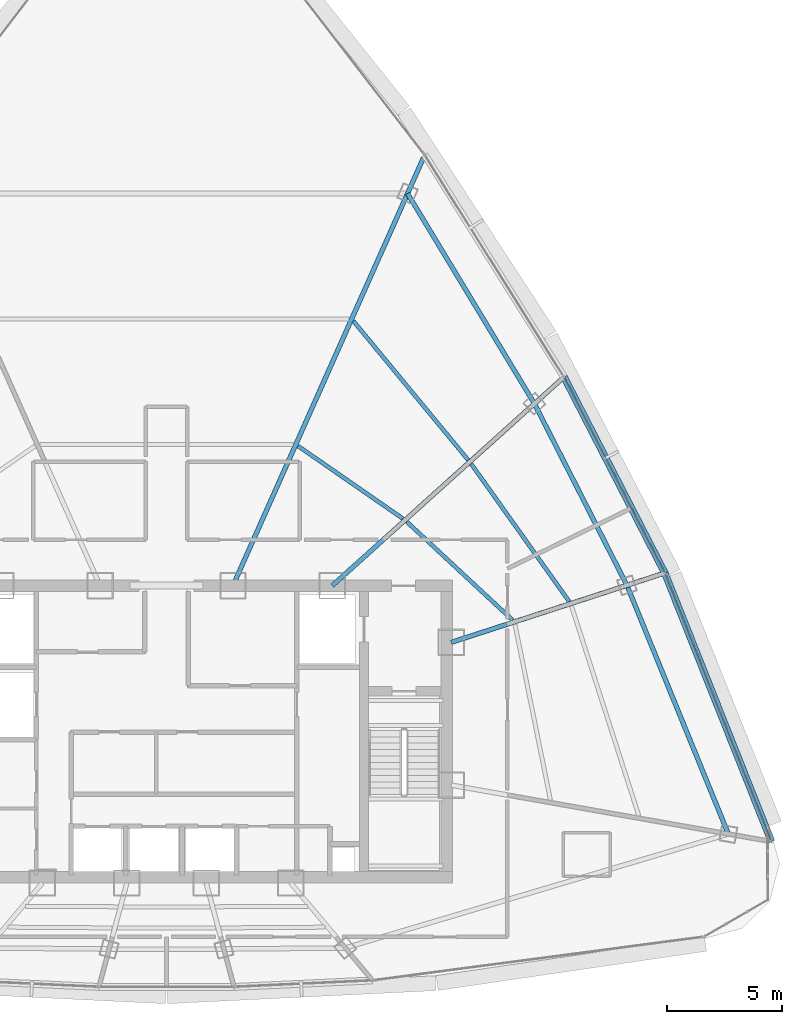
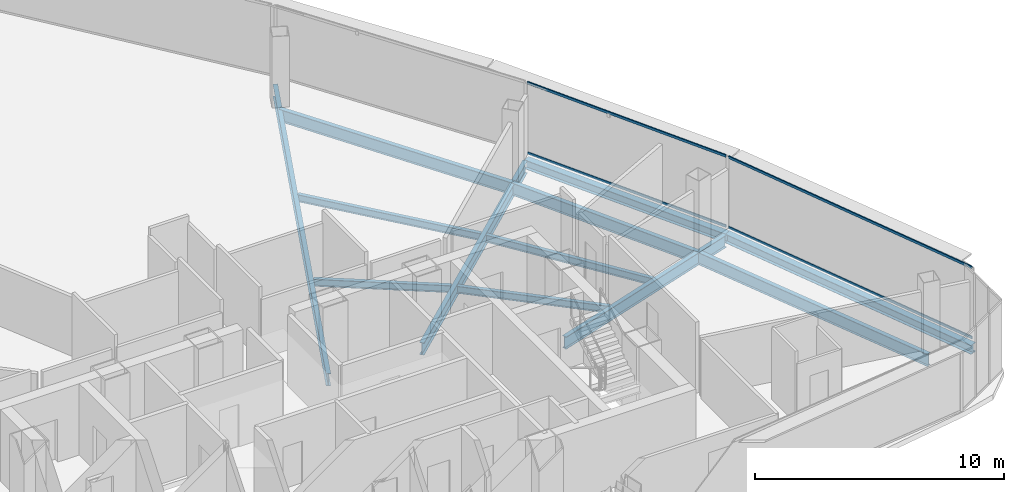
# One storey, part 13 of 29: 12 beams, 4 members, 2 elements without a shape of their own.
"""IFC4 building model written with IfcOpenShell, lengths in metres."""

from ifc_helpers import new_model, si_unit, direction, frame, origin, origin_2d, place, context, subcontext, project, spatial, hollow_rectangle, i_section, extrude, source, transform, mapped, material, layer, layer_set, material_profile, profile_set, type_object, element, aggregate, save


model = new_model("IFC4")

# Units and contexts
model_context = context("Model", 3, precision=1e-05, world=origin(), true_north=direction((0.0, 1.0)))
body_context = subcontext(model_context, "Body", "Model", "MODEL_VIEW")
ifc_project = project(units=[si_unit("LENGTHUNIT", "METRE"), si_unit("AREAUNIT", "SQUARE_METRE"), si_unit("VOLUMEUNIT", "CUBIC_METRE"), si_unit("PLANEANGLEUNIT", "RADIAN"), si_unit("MASSUNIT", "GRAM", prefix="KILO"), si_unit("THERMODYNAMICTEMPERATUREUNIT", "KELVIN"), si_unit("POWERUNIT", "WATT")], contexts=[model_context])

# Site, building, storey
site_placement = place(None, origin())
site = spatial("IfcSite", under=ifc_project, at=site_placement, CompositionType="ELEMENT")
building_placement = place(site_placement, origin())
building = spatial("IfcBuilding", under=site, at=building_placement, Name="Yunzhuo Pagoda Commons", CompositionType="ELEMENT")
storey_placement = place(building_placement, frame((0.0, 0.0, 359.260009765625)))
storey = spatial("IfcBuildingStorey", under=building, at=storey_placement, Name="L90", CompositionType="ELEMENT", Elevation=359.260009765625)

# Beams
ifc_material_1 = material(Name="Structural steel Q355B", Category="steel")
ifc_material_profile_1 = material_profile(ifc_material_1, i_section(OverallWidth=0.199951171875, OverallDepth=0.60009765625, WebThickness=0.010986328125, FlangeThickness=0.01708984375, at=origin_2d()), Name="Structural steel Q355B")
ifc_profile_set_1 = profile_set([ifc_material_profile_1], Name="Structural steel Q355B")
beam_type_1 = type_object("IfcBeamType", Name="B-RG3 Beam HN 600x200x11x17", PredefinedType="BEAM", material=ifc_profile_set_1)
shared_shape_1 = source(origin(), body_context, "Body", "SweptSolid", [
    extrude(i_section(OverallWidth=0.199951171875, OverallDepth=0.60009765625, WebThickness=0.010986328125, FlangeThickness=0.01708984375, at=origin_2d()), origin(), (0.0, 0.0, 1.0), 11.696533203125),
])
beam_1_placement = place(storey_placement, frame((72.47021484375, 29.38525390625, -0.56005859375), z_axis=(-0.377611800863, 0.925963999219, 0.0), x_axis=(-0.925963999219, -0.377611800863, 0.0)))
element("IfcBeam", 1, at=beam_1_placement, inside=storey, type_object=beam_type_1, Name="L90 column-ring beam 5", PredefinedType="BEAM", context=body_context, shape_type="MappedRepresentation", body=[
    mapped(shared_shape_1, transform((0.0, 0.0, 0.0), scale=1.0)),
])
shared_shape_2 = source(origin(), body_context, "Body", "SweptSolid", [
    extrude(i_section(OverallWidth=0.199951171875, OverallDepth=0.60009765625, WebThickness=0.010986328125, FlangeThickness=0.01708984375, at=origin_2d()), origin(), (0.0, 0.0, 1.0), 8.87939453125),
])
beam_2_placement = place(storey_placement, frame((68.053466796875, 40.2158203125, -0.56005859375), z_axis=(-0.453723535687, 0.891142498798, 0.0), x_axis=(-0.891142498798, -0.453723535687, 0.0)))
element("IfcBeam", 2, at=beam_2_placement, inside=storey, type_object=beam_type_1, Name="L90 column-ring beam 6", PredefinedType="BEAM", context=body_context, shape_type="MappedRepresentation", body=[
    mapped(shared_shape_2, transform((0.0, 0.0, 0.0), scale=1.0)),
])
shared_shape_3 = source(origin(), body_context, "Body", "SweptSolid", [
    extrude(i_section(OverallWidth=0.199951171875, OverallDepth=0.60009765625, WebThickness=0.010986328125, FlangeThickness=0.01708984375, at=origin_2d()), origin(), (0.0, 0.0, 1.0), 10.691162109375),
])
beam_3_placement = place(storey_placement, frame((64.024658203125, 48.128662109375, -0.56005859375), z_axis=(-0.516864678433, 0.856067114301, 0.0), x_axis=(-0.856067114301, -0.516864678433, 0.0)))
element("IfcBeam", 3, at=beam_3_placement, inside=storey, type_object=beam_type_1, Name="L90 column-ring beam 7", PredefinedType="BEAM", context=body_context, shape_type="MappedRepresentation", body=[
    mapped(shared_shape_3, transform((0.0, 0.0, 0.0), scale=1.0)),
])
ifc_material_profile_2 = material_profile(ifc_material_1, i_section(OverallWidth=0.175048828125, OverallDepth=0.35009765625, WebThickness=0.007080078125, FlangeThickness=0.010986328125, at=origin_2d()), Name="Structural steel Q355B")
ifc_profile_set_2 = profile_set([ifc_material_profile_2], Name="Structural steel Q355B")
beam_type_2 = type_object("IfcBeamType", Name="B-JS2 Joist HN 350x175x7x11", PredefinedType="JOIST", material=ifc_profile_set_2)
shared_shape_4 = source(origin(), body_context, "Body", "SweptSolid", [
    extrude(i_section(OverallWidth=0.175048828125, OverallDepth=0.35009765625, WebThickness=0.007080078125, FlangeThickness=0.010986328125, at=origin_2d()), origin(), (0.0, 0.0, 1.0), 6.277099609375),
])
beam_4_placement = place(storey_placement, frame((63.071044921875, 38.702392578125, -0.43505859375), z_axis=(-0.73244154109, 0.68082992655, 0.0), x_axis=(-0.68082992655, -0.73244154109, 0.0)))
element("IfcBeam", 4, at=beam_4_placement, inside=storey, type_object=beam_type_2, Name="L90 composite ring joist 1.6", PredefinedType="JOIST", context=body_context, shape_type="MappedRepresentation", body=[
    mapped(shared_shape_4, transform((0.0, 0.0, 0.0), scale=1.0)),
])
shared_shape_5 = source(origin(), body_context, "Body", "SweptSolid", [
    extrude(i_section(OverallWidth=0.175048828125, OverallDepth=0.35009765625, WebThickness=0.007080078125, FlangeThickness=0.010986328125, at=origin_2d()), origin(), (0.0, 0.0, 1.0), 7.347900390625),
])
beam_5_placement = place(storey_placement, frame((65.53759765625, 39.513671875, -0.43505859375), z_axis=(-0.580294898948, 0.814406428177, 0.0), x_axis=(-0.814406428177, -0.580294898948, 0.0)))
element("IfcBeam", 5, at=beam_5_placement, inside=storey, type_object=beam_type_2, Name="L90 composite ring joist 2.6", PredefinedType="JOIST", context=body_context, shape_type="MappedRepresentation", body=[
    mapped(shared_shape_5, transform((0.0, 0.0, 0.0), scale=1.0)),
])
shared_shape_6 = source(origin(), body_context, "Body", "SweptSolid", [
    extrude(i_section(OverallWidth=0.175048828125, OverallDepth=0.35009765625, WebThickness=0.007080078125, FlangeThickness=0.010986328125, at=origin_2d()), origin(), (0.0, 0.0, 1.0), 5.556640625),
])
beam_6_placement = place(storey_placement, frame((58.29443359375, 43.119873046875, -0.43505859375), z_axis=(-0.822084621883, 0.569365326011, 0.0), x_axis=(-0.569365326011, -0.822084621883, 0.0)))
element("IfcBeam", 6, at=beam_6_placement, inside=storey, type_object=beam_type_2, Name="L90 composite ring joist 1.7", PredefinedType="JOIST", context=body_context, shape_type="MappedRepresentation", body=[
    mapped(shared_shape_6, transform((0.0, 0.0, 0.0), scale=1.0)),
])
shared_shape_7 = source(origin(), body_context, "Body", "SweptSolid", [
    extrude(i_section(OverallWidth=0.175048828125, OverallDepth=0.35009765625, WebThickness=0.007080078125, FlangeThickness=0.010986328125, at=origin_2d()), origin(), (0.0, 0.0, 1.0), 7.842529296875),
])
beam_7_placement = place(storey_placement, frame((61.133544921875, 45.68017578125, -0.43505859375), z_axis=(-0.636899145749, 0.770947130577, 0.0), x_axis=(-0.770947130577, -0.636899145749, 0.0)))
element("IfcBeam", 7, at=beam_7_placement, inside=storey, type_object=beam_type_2, Name="L90 composite ring joist 2.7", PredefinedType="JOIST", context=body_context, shape_type="MappedRepresentation", body=[
    mapped(shared_shape_7, transform((0.0, 0.0, 0.0), scale=1.0)),
])
shared_shape_8 = source(origin(), body_context, "Body", "SweptSolid", [
    extrude(i_section(OverallWidth=0.199951171875, OverallDepth=0.60009765625, WebThickness=0.010986328125, FlangeThickness=0.01708984375, at=origin_2d()), origin(), (0.0, 0.0, 1.0), 9.62841796875),
])
beam_8_placement = place(storey_placement, frame((69.55712890625, 40.704345703125, -0.56005859375), z_axis=(-0.951057171816, -0.309014976883, 0.0), x_axis=(0.309014976883, -0.951057171816, 0.0)))
element("IfcBeam", 8, at=beam_8_placement, inside=storey, type_object=beam_type_1, Name="L90 radial floor girder F2C2", PredefinedType="BEAM", context=body_context, shape_type="MappedRepresentation", body=[
    mapped(shared_shape_8, transform((0.0, 0.0, 0.0), scale=1.0)),
])
shared_shape_9 = source(origin(), body_context, "Body", "SweptSolid", [
    extrude(i_section(OverallWidth=0.199951171875, OverallDepth=0.60009765625, WebThickness=0.010986328125, FlangeThickness=0.01708984375, at=origin_2d()), origin(), (0.0, 0.0, 1.0), 13.429931640625),
])
beam_9_placement = place(storey_placement, frame((65.199462890625, 49.186279296875, -0.56005859375), z_axis=(-0.743149501928, -0.669125412597, 0.0), x_axis=(0.669125412597, -0.743149501928, 0.0)))
element("IfcBeam", 9, at=beam_9_placement, inside=storey, type_object=beam_type_1, Name="L90 radial floor girder F2C3", PredefinedType="BEAM", context=body_context, shape_type="MappedRepresentation", body=[
    mapped(shared_shape_9, transform((0.0, 0.0, 0.0), scale=1.0)),
])
shared_shape_10 = source(origin(), body_context, "Body", "SweptSolid", [
    extrude(i_section(OverallWidth=0.199951171875, OverallDepth=0.60009765625, WebThickness=0.010986328125, FlangeThickness=0.01708984375, at=origin_2d()), origin(), (0.0, 0.0, 1.0), 20.386474609375),
])
beam_10_placement = place(storey_placement, frame((59.185791015625, 58.823974609375, -0.56005859375), z_axis=(-0.40672839734, -0.913549128836, 0.0), x_axis=(0.913549128836, -0.40672839734, 0.0)))
element("IfcBeam", 10, at=beam_10_placement, inside=storey, type_object=beam_type_1, Name="L90 radial floor girder F2C4", PredefinedType="BEAM", context=body_context, shape_type="MappedRepresentation", body=[
    mapped(shared_shape_10, transform((0.0, 0.0, 0.0), scale=1.0)),
])
ifc_material_profile_3 = material_profile(ifc_material_1, i_section(OverallWidth=0.300048828125, OverallDepth=0.43994140625, WebThickness=0.010986328125, FlangeThickness=0.01806640625, at=origin_2d()), Name="Structural steel Q355B")
ifc_profile_set_3 = profile_set([ifc_material_profile_3], Name="Structural steel Q355B")
beam_type_3 = type_object("IfcBeamType", Name="B-SP2 Beam HM 440x300x11x18", PredefinedType="BEAM", material=ifc_profile_set_3)
shared_shape_11 = source(origin(), body_context, "Body", "SweptSolid", [
    extrude(i_section(OverallWidth=0.300048828125, OverallDepth=0.43994140625, WebThickness=0.010986328125, FlangeThickness=0.01806640625, at=origin_2d()), origin(), (0.0, 0.0, 1.0), 12.58642578125),
])
beam_11_placement = place(storey_placement, frame((74.3486328125, 29.053955078125, -0.47998046875), z_axis=(-0.368974795252, 0.929439401182, 0.0), x_axis=(-0.929439401182, -0.368974795252, 0.0)))
element("IfcBeam", 11, at=beam_11_placement, inside=storey, type_object=beam_type_3, Name="L90 facade edge spandrel beam F2.1", PredefinedType="BEAM", context=body_context, shape_type="MappedRepresentation", body=[
    mapped(shared_shape_11, transform((0.0, 0.0, 0.0), scale=1.0)),
])
shared_shape_12 = source(origin(), body_context, "Body", "SweptSolid", [
    extrude(i_section(OverallWidth=0.300048828125, OverallDepth=0.43994140625, WebThickness=0.010986328125, FlangeThickness=0.01806640625, at=origin_2d()), origin(), (0.0, 0.0, 1.0), 9.600341796875),
])
beam_12_placement = place(storey_placement, frame((69.70458984375, 40.752197265625, -0.47998046875), z_axis=(-0.457265841748, 0.889330056824, 0.0), x_axis=(-0.889330056824, -0.457265841748, 0.0)))
element("IfcBeam", 12, at=beam_12_placement, inside=storey, type_object=beam_type_3, Name="L90 facade edge spandrel beam F2.2", PredefinedType="BEAM", context=body_context, shape_type="MappedRepresentation", body=[
    mapped(shared_shape_12, transform((0.0, 0.0, 0.0), scale=1.0)),
])

# Curtain wall, members
ifc_material_2 = material(Name="Anodized aluminium 6063-T6", Category="aluminium")
ifc_layer = layer(ifc_material_2, 0.139892578125)
ifc_layer_set = layer_set([ifc_layer], Name="Anodized aluminium 6063-T6")
curtain_wall_type = type_object("IfcCurtainWallType", Name="CW-HI High-Zone Ribbon Curtain Wall", PredefinedType="NOTDEFINED", material=ifc_layer_set)
curtain_wall_1_placement = place(storey_placement, origin())
curtain_wall_1 = element("IfcCurtainWall", 13, at=curtain_wall_1_placement, inside=storey, type_object=curtain_wall_type, Name="L90 curtain wall CW-L90-F2B2", PredefinedType="NOTDEFINED")
ifc_material_profile_4 = material_profile(ifc_material_2, hollow_rectangle(XDim=0.054931640625, YDim=0.1201171875, WallThickness=0.00341796875, at=origin_2d()), Name="Anodized aluminium 6063-T6")
ifc_profile_set_4 = profile_set([ifc_material_profile_4], Name="Anodized aluminium 6063-T6")
member_type = type_object("IfcMemberType", Name="CW-HI-T Transom RHS 120x55x3.5", PredefinedType="USERDEFINED", material=ifc_profile_set_4)
shared_shape_13 = source(origin(), body_context, "Body", "SweptSolid", [
    extrude(hollow_rectangle(XDim=0.054931640625, YDim=0.1201171875, WallThickness=0.00341796875, at=origin_2d()), origin(), (0.0, 0.0, 1.0), 12.46630859375),
])
member_1_placement = place(storey_placement, frame((74.326416015625, 29.10986328125, 0.027587890625), z_axis=(-0.368965029907, 0.929443277831, 0.0), x_axis=(-0.929443277831, -0.368965029907, 0.0)))
member_1 = element("IfcMember", 14, at=member_1_placement, type_object=member_type, Name="CW transom 1.1", ObjectType="TRANSOM", PredefinedType="USERDEFINED", context=body_context, shape_type="MappedRepresentation", body=[
    mapped(shared_shape_13, transform((0.0, 0.0, 0.0), scale=1.0)),
])
member_2_placement = place(storey_placement, frame((74.326416015625, 29.10986328125, 3.46240234375), z_axis=(-0.368965029907, 0.929443277831, 0.0), x_axis=(-0.929443277831, -0.368965029907, 0.0)))
member_2 = element("IfcMember", 15, at=member_2_placement, type_object=member_type, Name="CW transom 1.2", ObjectType="TRANSOM", PredefinedType="USERDEFINED", context=body_context, shape_type="MappedRepresentation", body=[
    mapped(shared_shape_13, transform((0.0, 0.0, 0.0), scale=1.0)),
])
aggregate(curtain_wall_1, [member_1, member_2])

curtain_wall_2_placement = place(storey_placement, origin())
curtain_wall_2 = element("IfcCurtainWall", 16, at=curtain_wall_2_placement, inside=storey, type_object=curtain_wall_type, Name="L90 curtain wall CW-L90-F2B3", PredefinedType="NOTDEFINED")
shared_shape_14 = source(origin(), body_context, "Body", "SweptSolid", [
    extrude(hollow_rectangle(XDim=0.054931640625, YDim=0.1201171875, WallThickness=0.00341796875, at=origin_2d()), origin(), (0.0, 0.0, 1.0), 9.48046875),
])
member_3_placement = place(storey_placement, frame((69.67724609375, 40.8056640625, 0.027587890625), z_axis=(-0.457279931988, 0.88932281192, 0.0), x_axis=(-0.88932281192, -0.457279931988, 0.0)))
member_3 = element("IfcMember", 17, at=member_3_placement, type_object=member_type, Name="CW transom 1.1", ObjectType="TRANSOM", PredefinedType="USERDEFINED", context=body_context, shape_type="MappedRepresentation", body=[
    mapped(shared_shape_14, transform((0.0, 0.0, 0.0), scale=1.0)),
])
member_4_placement = place(storey_placement, frame((69.67724609375, 40.8056640625, 3.46240234375), z_axis=(-0.457279931988, 0.88932281192, 0.0), x_axis=(-0.88932281192, -0.457279931988, 0.0)))
member_4 = element("IfcMember", 18, at=member_4_placement, type_object=member_type, Name="CW transom 1.2", ObjectType="TRANSOM", PredefinedType="USERDEFINED", context=body_context, shape_type="MappedRepresentation", body=[
    mapped(shared_shape_14, transform((0.0, 0.0, 0.0), scale=1.0)),
])
aggregate(curtain_wall_2, [member_3, member_4])

save(model, "model.ifc")
